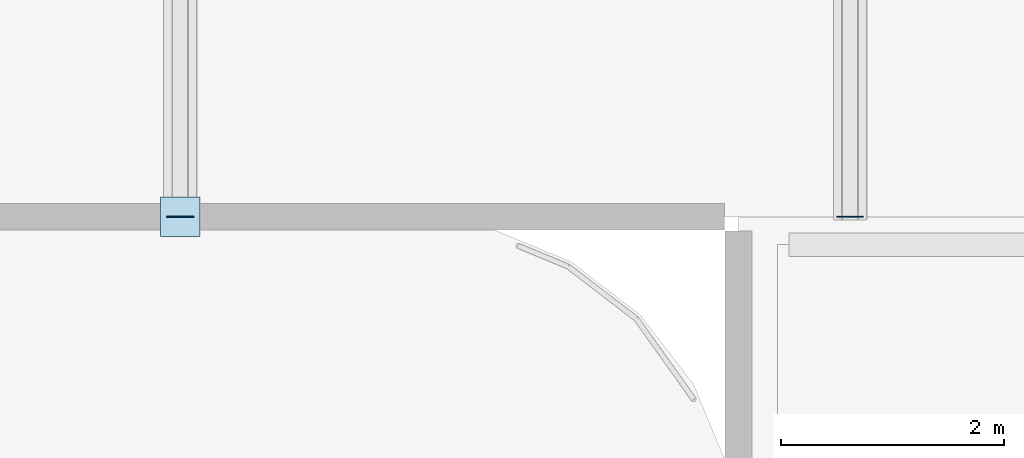
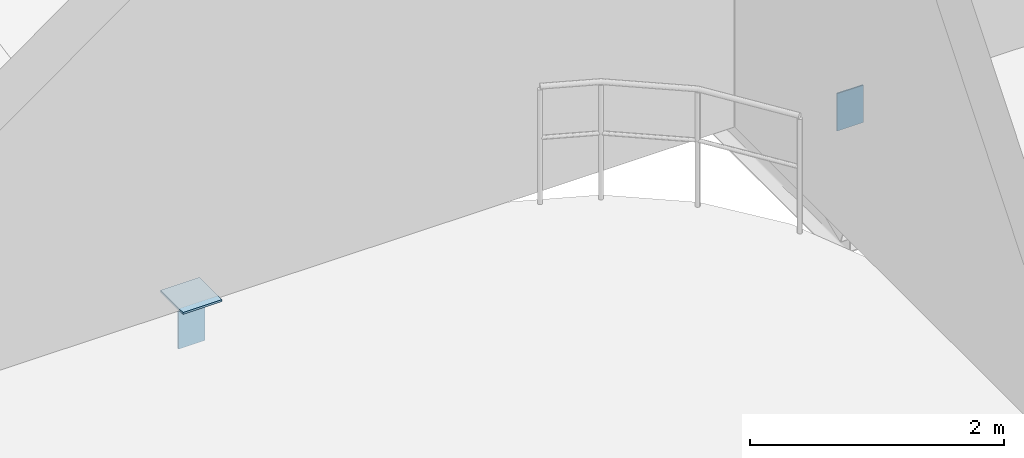
# One storey, part 53 of 83: 3 plates.
"""IFC4 building model written with IfcOpenShell, lengths in metres."""

from ifc_helpers import new_model, si_unit, direction, frame, origin, origin_2d, place, context, subcontext, project, spatial, rectangle, extrude, material, layer, layer_set, type_object, element, save


model = new_model("IFC4")

# Units and contexts
model_context = context("Model", 3, precision=1e-05, world=origin(), true_north=direction((0.0, 1.0)))
body_context = subcontext(model_context, "Body", "Model", "MODEL_VIEW")
ifc_project = project(units=[si_unit("LENGTHUNIT", "METRE"), si_unit("AREAUNIT", "SQUARE_METRE"), si_unit("VOLUMEUNIT", "CUBIC_METRE"), si_unit("PLANEANGLEUNIT", "RADIAN"), si_unit("MASSUNIT", "GRAM", prefix="KILO")], contexts=[model_context])

# Site, building, storey
site_placement = place(None, origin())
site = spatial("IfcSite", under=ifc_project, at=site_placement, CompositionType="ELEMENT")
building_placement = place(site_placement, origin())
building = spatial("IfcBuilding", under=site, at=building_placement, Name="Varnakota Square Police Headquarters", CompositionType="ELEMENT")
storey_placement = place(building_placement, frame((0.0, 0.0, 18.0)))
storey = spatial("IfcBuildingStorey", under=building, at=storey_placement, Name="L04", CompositionType="ELEMENT", Elevation=18.0)

# Plates
ifc_material = material(Name="Steel IS 2062 Grade 350", Category="steel")
ifc_layer_1 = layer(ifc_material, 0.02001953125, Name="Steel IS 2062 Grade 350")
ifc_layer_set_1 = layer_set([ifc_layer_1], Name="Steel IS 2062 Grade 350")
plate_type_1 = type_object("IfcPlateType", Name="PL-CAP-20", PredefinedType="SHEET", material=ifc_layer_set_1)
plate_placement = place(storey_placement, frame((30.0, 75.0, -0.001953125), z_axis=(0.0, 0.0, 1.0), x_axis=(1.0, 0.0, 0.0)))
element("IfcPlate", 1, at=plate_placement, inside=storey, type_object=plate_type_1, Name="Hollow column top cap plate CP-COL-X0300-Y0750", PredefinedType="SHEET", context=body_context, shape_type="SweptSolid", body=[
    extrude(rectangle(XDim=0.35400390625, YDim=0.35400390625, at=origin_2d()), origin(), (0.0, 0.0, 1.0), 0.02001953125),
])
ifc_layer_2 = layer(ifc_material, 0.011962890625, Name="Steel IS 2062 Grade 350")
ifc_layer_set_2 = layer_set([ifc_layer_2], Name="Steel IS 2062 Grade 350")
plate_type_2 = type_object("IfcPlateType", Name="PL-END-12", PredefinedType="SHEET", material=ifc_layer_set_2)
for number, where, z_axis, x_axis, name in (
    (2, (30.0, 75.0, -0.4599609375), (0.0, 0.0, 1.0), (1.0, 0.0, 0.0), "Hollow chord end-cap plate EP-007"),
    (3, (36.0, 75.0, -0.4599609375), (0.0, 0.0, 1.0), (1.0, 0.0, 0.0), "Hollow chord end-cap plate EP-009"),
):
    element("IfcPlate", number, at=place(storey_placement, frame(where, z_axis=z_axis, x_axis=x_axis)), inside=storey, type_object=plate_type_2, Name=name, PredefinedType="SHEET", context=body_context, shape_type="SweptSolid", body=[
        extrude(rectangle(XDim=0.239990234375, YDim=0.011962890625, at=origin_2d()), origin(), (0.0, 0.0, 1.0), 0.360107421875),
    ])

save(model, "model.ifc")
